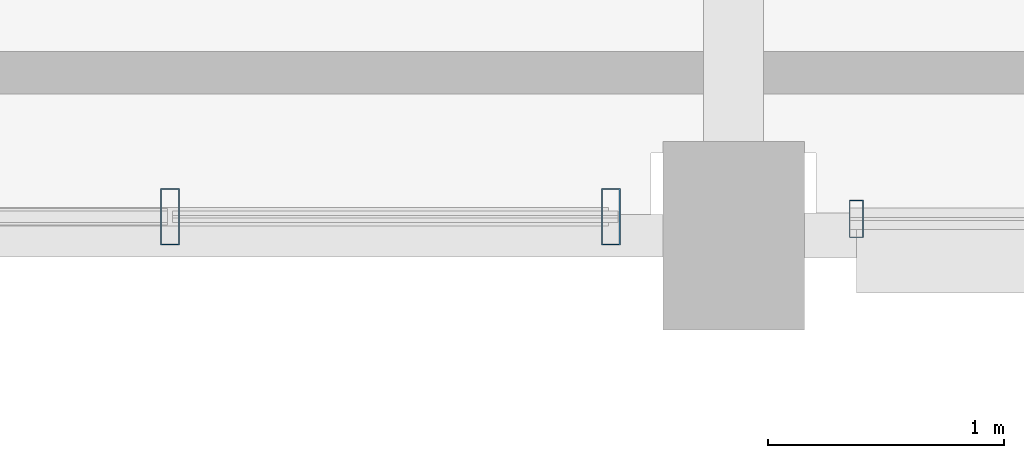
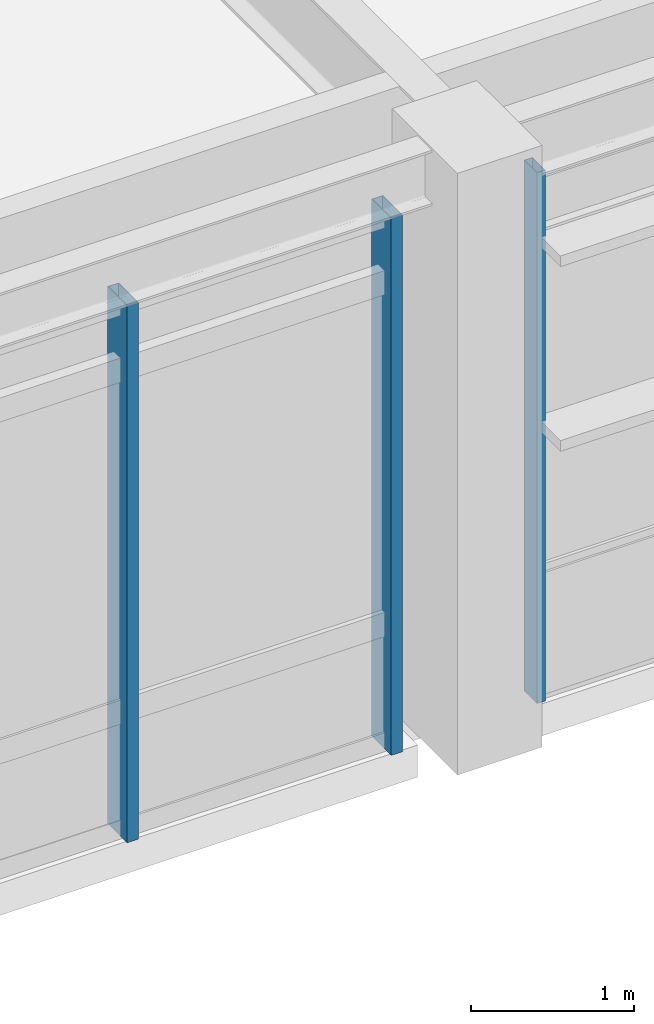
# One storey, part 60 of 200: 3 members, 2 elements without a shape of their own.
"""IFC4 building model written with IfcOpenShell, lengths in metres."""

from ifc_helpers import new_model, si_unit, direction, frame, origin, origin_2d, place, context, subcontext, project, spatial, hollow_rectangle, extrude, material, material_profile, profile_set, type_object, element, aggregate, save


model = new_model("IFC4")

# Units and contexts
model_context = context("Model", 3, precision=1e-05, world=origin(), true_north=direction((0.0, 1.0)))
body_context = subcontext(model_context, "Body", "Model", "MODEL_VIEW")
ifc_project = project(units=[si_unit("LENGTHUNIT", "METRE"), si_unit("AREAUNIT", "SQUARE_METRE"), si_unit("VOLUMEUNIT", "CUBIC_METRE"), si_unit("PLANEANGLEUNIT", "RADIAN"), si_unit("MASSUNIT", "GRAM", prefix="KILO"), si_unit("THERMODYNAMICTEMPERATUREUNIT", "KELVIN"), si_unit("POWERUNIT", "WATT")], contexts=[model_context])

# Site, building, storey
site_placement = place(None, origin())
site = spatial("IfcSite", under=ifc_project, at=site_placement, CompositionType="ELEMENT")
building_placement = place(site_placement, origin())
building = spatial("IfcBuilding", under=site, at=building_placement, Name="Tepalcoro Natatorium and Aquatics Centre", CompositionType="ELEMENT")
storey_placement = place(building_placement, frame((0.0, 0.0, 5.39990234375)))
storey = spatial("IfcBuildingStorey", under=building, at=storey_placement, Name="L01", CompositionType="ELEMENT", Elevation=5.39990234375)

# Curtain wall, member
ifc_material = material(Name="Bronze-Anodised Extruded Aluminium Alloy EN AW-6063 T6", Category="aluminium")
curtain_wall_type_1 = type_object("IfcCurtainWallType", Name="CW_V5_UPPER", PredefinedType="USERDEFINED", material=ifc_material)
curtain_wall_1_placement = place(storey_placement, origin())
curtain_wall_1 = element("IfcCurtainWall", 1, at=curtain_wall_1_placement, inside=storey, type_object=curtain_wall_type_1, Name="V4 L01 S Unitised Curtain Wall Bay 5", ObjectType="FACETED SOLAR GLAZING", PredefinedType="USERDEFINED")
ifc_material_profile_1 = material_profile(ifc_material, hollow_rectangle(XDim=0.06005859375, YDim=0.159912109375, WallThickness=0.00390625, at=origin_2d()), Name="AL60X160X4")
ifc_profile_set_1 = profile_set([ifc_material_profile_1], Name="Bronze-Anodised Extruded Aluminium Alloy EN AW-6063 T6")
member_type_1 = type_object("IfcMemberType", Name="CW_MUL_60x160", PredefinedType="MULLION", material=ifc_profile_set_1)
member_1_placement = place(storey_placement, frame((47.02001953125, 86.0712890625, 0.02001953125), z_axis=(0.0, 0.0, 1.0), x_axis=(1.0, 0.0, 0.0)))
member_1 = element("IfcMember", 2, at=member_1_placement, type_object=member_type_1, Name="CW_V5_UPPER Curtain Wall Mullion", PredefinedType="MULLION", context=body_context, shape_type="SweptSolid", body=[
    extrude(hollow_rectangle(XDim=0.06005859375, YDim=0.159912109375, WallThickness=0.00390625, at=origin_2d()), origin(), (0.0, 0.0, 1.0), 3.969970703125),
])
aggregate(curtain_wall_1, [member_1])

# Curtain wall, members
curtain_wall_type_2 = type_object("IfcCurtainWallType", Name="CW_V5_LOWER", PredefinedType="USERDEFINED", material=ifc_material)
curtain_wall_2_placement = place(storey_placement, origin())
curtain_wall_2 = element("IfcCurtainWall", 3, at=curtain_wall_2_placement, inside=storey, type_object=curtain_wall_type_2, Name="V4 L01 S Unitised Curtain Wall Bay 4", ObjectType="UNITISED STOREFRONT", PredefinedType="USERDEFINED")
ifc_material_profile_2 = material_profile(ifc_material, hollow_rectangle(XDim=0.080078125, YDim=0.239990234375, WallThickness=0.0048828125, at=origin_2d()), Name="AL80X240X5")
ifc_profile_set_2 = profile_set([ifc_material_profile_2], Name="Bronze-Anodised Extruded Aluminium Alloy EN AW-6063 T6")
member_type_2 = type_object("IfcMemberType", Name="CW_MUL_80x240", PredefinedType="MULLION", material=ifc_profile_set_2)
member_2_placement = place(storey_placement, frame((44.112060546875, 86.080078125, 0.02001953125), z_axis=(0.0, 0.0, 1.0), x_axis=(1.0, 0.0, 0.0)))
member_2 = element("IfcMember", 4, at=member_2_placement, type_object=member_type_2, Name="CW_V5_LOWER Curtain Wall Mullion", PredefinedType="MULLION", context=body_context, shape_type="SweptSolid", body=[
    extrude(hollow_rectangle(XDim=0.080078125, YDim=0.239990234375, WallThickness=0.0048828125, at=origin_2d()), origin(), (0.0, 0.0, 1.0), 4.01708984375),
])
member_3_placement = place(storey_placement, frame((45.97998046875, 86.080078125, 0.02001953125), z_axis=(0.0, 0.0, 1.0), x_axis=(1.0, 0.0, 0.0)))
member_3 = element("IfcMember", 5, at=member_3_placement, type_object=member_type_2, Name="CW_V5_LOWER Curtain Wall Mullion", PredefinedType="MULLION", context=body_context, shape_type="SweptSolid", body=[
    extrude(hollow_rectangle(XDim=0.080078125, YDim=0.239990234375, WallThickness=0.0048828125, at=origin_2d()), origin(), (0.0, 0.0, 1.0), 4.01708984375),
])
aggregate(curtain_wall_2, [member_2, member_3])

save(model, "model.ifc")
